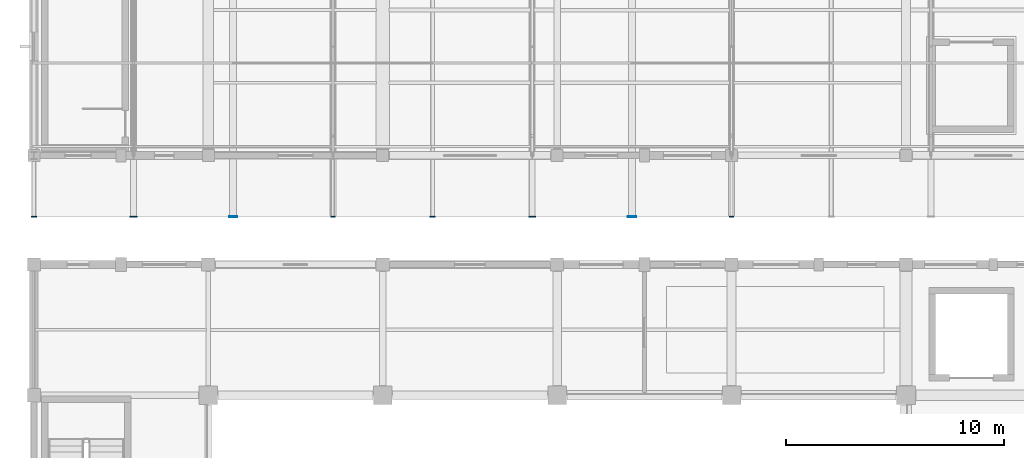
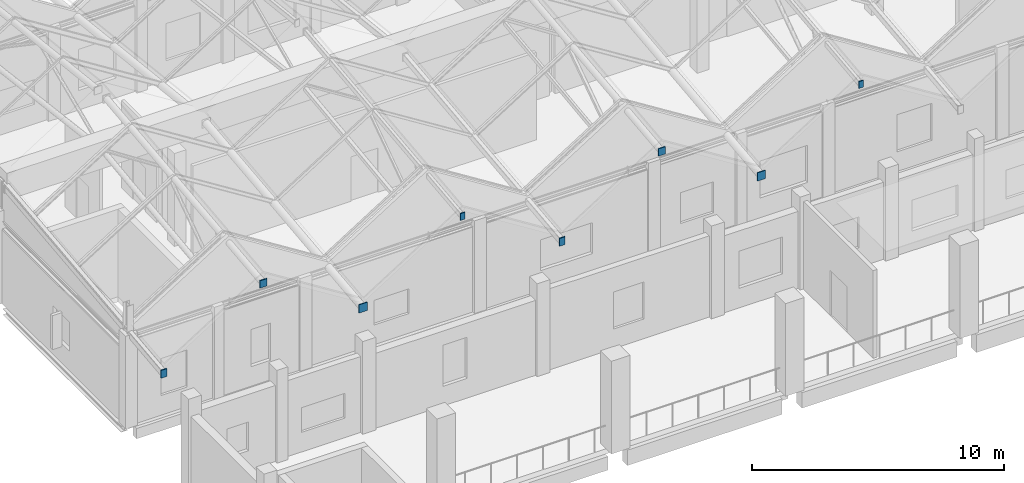
# One storey, part 157 of 183: 8 discrete accessories.
"""IFC4 building model written with IfcOpenShell, lengths in metres."""

from ifc_helpers import new_model, si_unit, direction, frame, origin, origin_2d, place, context, subcontext, project, spatial, rectangle, extrude, material, type_object, element, save


model = new_model("IFC4")

# Units and contexts
model_context = context("Model", 3, precision=1e-05, world=origin(), true_north=direction((0.0, 1.0)))
body_context = subcontext(model_context, "Body", "Model", "MODEL_VIEW")
ifc_project = project(units=[si_unit("LENGTHUNIT", "METRE"), si_unit("AREAUNIT", "SQUARE_METRE"), si_unit("VOLUMEUNIT", "CUBIC_METRE"), si_unit("PLANEANGLEUNIT", "RADIAN"), si_unit("MASSUNIT", "GRAM", prefix="KILO")], contexts=[model_context])

# Site, building, storey
site_placement = place(None, origin())
site = spatial("IfcSite", under=ifc_project, at=site_placement, CompositionType="ELEMENT")
building_placement = place(site_placement, origin())
building = spatial("IfcBuilding", under=site, at=building_placement, Name="Luwemba Playhouse", CompositionType="ELEMENT")
storey_placement = place(building_placement, frame((0.0, 0.0, 4.800048828125)))
storey = spatial("IfcBuildingStorey", under=building, at=storey_placement, Name="L01", CompositionType="ELEMENT", Elevation=4.800048828125)

# Discrete accessories
ifc_material = material(Name="Steel S355", Category="steel")
discrete_accessory_type = type_object("IfcDiscreteAccessoryType", Name="ACC-ENDCAP-S355", PredefinedType="BRACKET", material=ifc_material)
discrete_accessory_1_placement = place(storey_placement, frame((4.0, 92.18505859375, 3.970458984375), z_axis=(0.0, 0.0, 1.0), x_axis=(1.0, 0.0, 0.0)))
element("IfcDiscreteAccessory", 1, at=discrete_accessory_1_placement, inside=storey, type_object=discrete_accessory_type, Name="Welded RHS end cap plate 0437", PredefinedType="BRACKET", context=body_context, shape_type="SweptSolid", body=[
    extrude(rectangle(XDim=0.260009765625, YDim=0.044921875, at=origin_2d()), origin(), (0.0, 0.0, 1.0), 0.3798828125),
])
discrete_accessory_2_placement = place(storey_placement, frame((8.5712890625, 92.18505859375, 6.754638671875), z_axis=(0.0, 0.0, 1.0), x_axis=(1.0, 0.0, 0.0)))
element("IfcDiscreteAccessory", 2, at=discrete_accessory_2_placement, inside=storey, type_object=discrete_accessory_type, Name="Welded RHS end cap plate 0441", PredefinedType="BRACKET", context=body_context, shape_type="SweptSolid", body=[
    extrude(rectangle(XDim=0.3330078125, YDim=0.044921875, at=origin_2d()), origin(), (0.0, 0.0, 1.0), 0.35302734375),
])
discrete_accessory_3_placement = place(storey_placement, frame((13.142822265625, 92.18505859375, 3.94677734375), z_axis=(0.0, 0.0, 1.0), x_axis=(1.0, 0.0, 0.0)))
element("IfcDiscreteAccessory", 3, at=discrete_accessory_3_placement, inside=storey, type_object=discrete_accessory_type, Name="Welded RHS end cap plate 0445", PredefinedType="BRACKET", context=body_context, shape_type="SweptSolid", body=[
    extrude(rectangle(XDim=0.384033203125, YDim=0.044921875, at=origin_2d()), origin(), (0.0, 0.0, 1.0), 0.404052734375),
])
discrete_accessory_4_placement = place(storey_placement, frame((17.71435546875, 92.18505859375, 6.81640625), z_axis=(0.0, 0.0, 1.0), x_axis=(1.0, 0.0, 0.0)))
element("IfcDiscreteAccessory", 4, at=discrete_accessory_4_placement, inside=storey, type_object=discrete_accessory_type, Name="Welded RHS end cap plate 0449", PredefinedType="BRACKET", context=body_context, shape_type="SweptSolid", body=[
    extrude(rectangle(XDim=0.2099609375, YDim=0.044921875, at=origin_2d()), origin(), (0.0, 0.0, 1.0), 0.330078125),
])
discrete_accessory_5_placement = place(storey_placement, frame((22.28564453125, 92.18505859375, 3.970458984375), z_axis=(0.0, 0.0, 1.0), x_axis=(1.0, 0.0, 0.0)))
element("IfcDiscreteAccessory", 5, at=discrete_accessory_5_placement, inside=storey, type_object=discrete_accessory_type, Name="Welded RHS end cap plate 0453", PredefinedType="BRACKET", context=body_context, shape_type="SweptSolid", body=[
    extrude(rectangle(XDim=0.260009765625, YDim=0.044921875, at=origin_2d()), origin(), (0.0, 0.0, 1.0), 0.3798828125),
])
discrete_accessory_6_placement = place(storey_placement, frame((26.857177734375, 92.18505859375, 6.754638671875), z_axis=(0.0, 0.0, 1.0), x_axis=(1.0, 0.0, 0.0)))
element("IfcDiscreteAccessory", 6, at=discrete_accessory_6_placement, inside=storey, type_object=discrete_accessory_type, Name="Welded RHS end cap plate 0457", PredefinedType="BRACKET", context=body_context, shape_type="SweptSolid", body=[
    extrude(rectangle(XDim=0.3330078125, YDim=0.044921875, at=origin_2d()), origin(), (0.0, 0.0, 1.0), 0.35302734375),
])
discrete_accessory_7_placement = place(storey_placement, frame((31.4287109375, 92.18505859375, 3.9462890625), z_axis=(0.0, 0.0, 1.0), x_axis=(1.0, 0.0, 0.0)))
element("IfcDiscreteAccessory", 7, at=discrete_accessory_7_placement, inside=storey, type_object=discrete_accessory_type, Name="Welded RHS end cap plate 0461", PredefinedType="BRACKET", context=body_context, shape_type="SweptSolid", body=[
    extrude(rectangle(XDim=0.384033203125, YDim=0.044921875, at=origin_2d()), origin(), (0.0, 0.0, 1.0), 0.404052734375),
])
discrete_accessory_8_placement = place(storey_placement, frame((36.0, 92.18505859375, 6.81640625), z_axis=(0.0, 0.0, 1.0), x_axis=(1.0, 0.0, 0.0)))
element("IfcDiscreteAccessory", 8, at=discrete_accessory_8_placement, inside=storey, type_object=discrete_accessory_type, Name="Welded RHS end cap plate 0465", PredefinedType="BRACKET", context=body_context, shape_type="SweptSolid", body=[
    extrude(rectangle(XDim=0.2099609375, YDim=0.044921875, at=origin_2d()), origin(), (0.0, 0.0, 1.0), 0.330078125),
])

save(model, "model.ifc")
